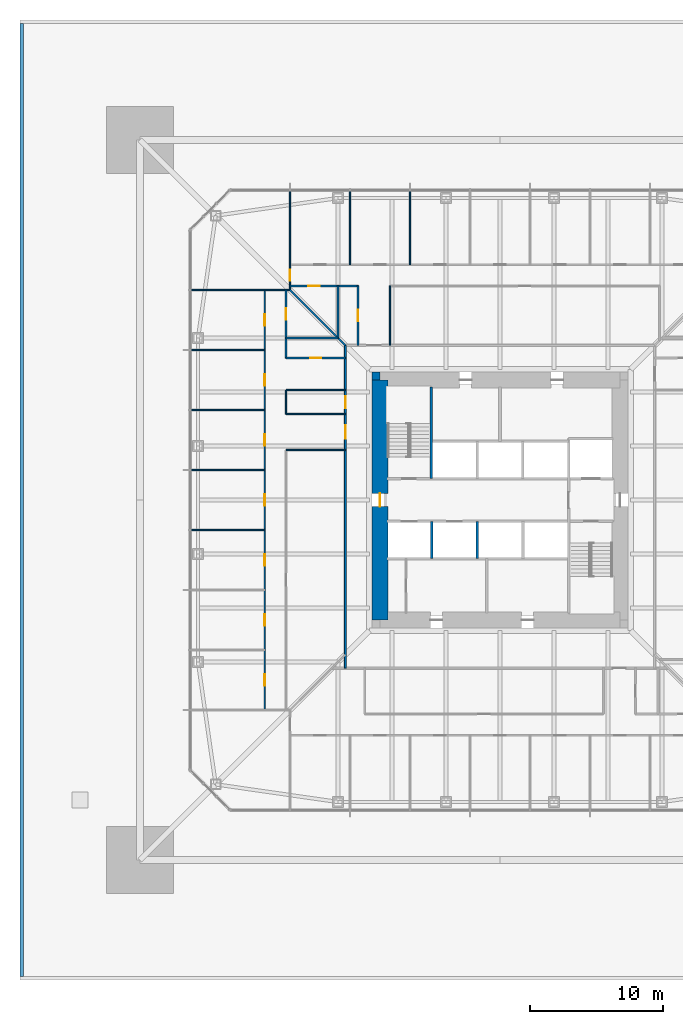
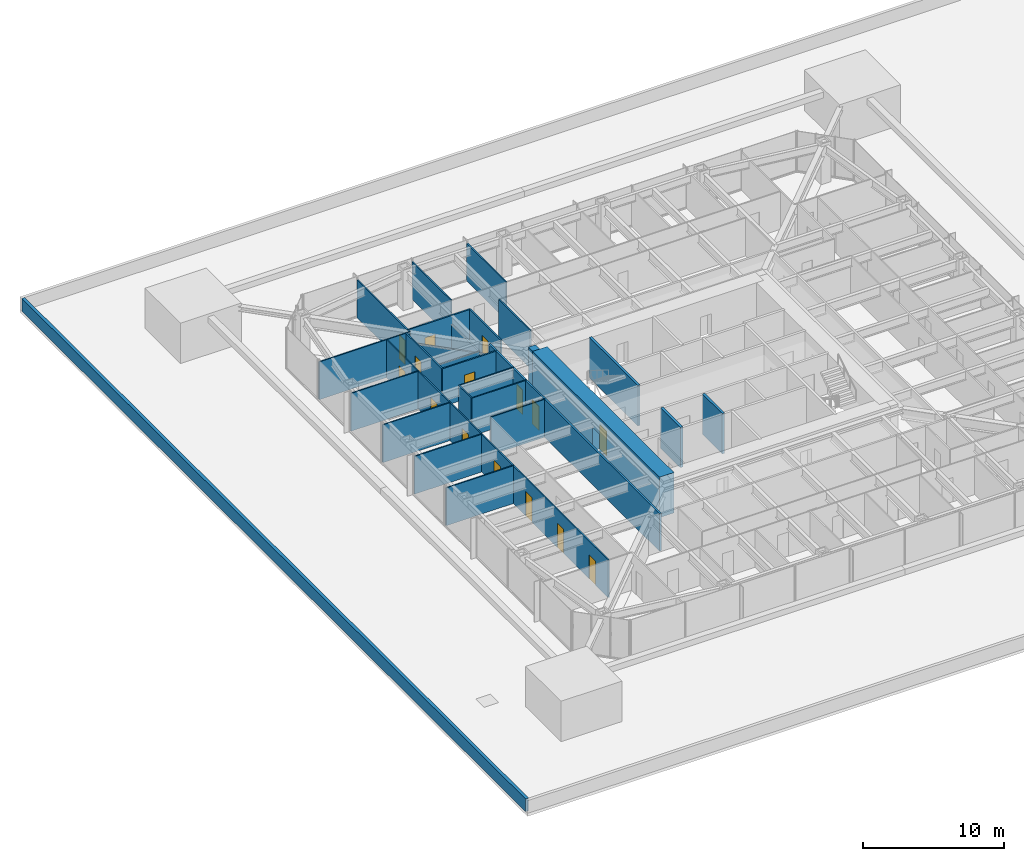
# One storey, part 19 of 31: 28 walls, 15 doors, 15 openings.
"""IFC4 building model written with IfcOpenShell, lengths in metres."""

from ifc_helpers import new_model, si_unit, direction, frame, frame_2d, origin, place, context, subcontext, project, spatial, rectangle, extrude, material, layer, layer_set, type_object, element, fill, save


model = new_model("IFC4")

# Units and contexts
model_context = context("Model", 3, precision=1e-05, world=origin(), true_north=direction((0.0, 1.0)))
body_context = subcontext(model_context, "Body", "Model", "MODEL_VIEW")
ifc_project = project(units=[si_unit("LENGTHUNIT", "METRE"), si_unit("AREAUNIT", "SQUARE_METRE"), si_unit("VOLUMEUNIT", "CUBIC_METRE"), si_unit("PLANEANGLEUNIT", "RADIAN"), si_unit("MASSUNIT", "GRAM", prefix="KILO")], contexts=[model_context])

# Site, building, storey
site_placement = place(None, origin())
site = spatial("IfcSite", under=ifc_project, at=site_placement, CompositionType="ELEMENT")
building_placement = place(site_placement, origin())
building = spatial("IfcBuilding", under=site, at=building_placement, Name="Iwan Alto Co-Living Towers", CompositionType="ELEMENT")
storey_placement = place(building_placement, frame((0.0, 0.0, 15.0)))
storey = spatial("IfcBuildingStorey", under=building, at=storey_placement, Name="L03", CompositionType="ELEMENT", Elevation=15.0)

# Wall, openings, doors
ifc_material_1 = material(Name="Gypsum board")
ifc_layer_1 = layer(ifc_material_1, 0.02490234375, Name="Board", Category="Finish")
ifc_material_2 = material(Name="Steel ASTM A1003 ST33H cold-formed studs", Category="steel")
ifc_layer_2 = layer(ifc_material_2, 0.10009765625, Name="Studs", Category="Framing")
ifc_layer_3 = layer(ifc_material_1, 0.02490234375, Name="Board", Category="Finish")
ifc_layer_set_1 = layer_set([ifc_layer_1, ifc_layer_2, ifc_layer_3], Name="CORRIDOR WALL 150")
wall_type_1 = type_object("IfcWallType", Name="CORRIDOR WALL 150", PredefinedType="PARTITIONING", material=ifc_layer_set_1)
wall_1_placement = place(storey_placement, frame((-11.60009765625, -12.60009765625, 0.0), z_axis=(0.0, 0.0, 1.0), x_axis=(0.0, 1.0, 0.0)))
wall_1 = element("IfcWall", 1, at=wall_1_placement, inside=storey, type_object=wall_type_1, Name="Partition L03", PredefinedType="PARTITIONING", context=body_context, shape_type="SweptSolid", body=[
    extrude(rectangle(XDim=24.2001953125, YDim=0.14990234375, at=frame_2d((12.10009765625, 0.0))), origin(), (0.0, 0.0, 1.0), 3.27001953125),
])
opening_1_placement = place(wall_1_placement, frame((17.199951171875, 0.0, 0.0)))
opening_1 = element("IfcOpeningElement", 2, at=opening_1_placement, cuts=wall_1, Name="Opening D3", PredefinedType="OPENING", context=body_context, shape_type="SweptSolid", body=[
    extrude(rectangle(XDim=1.0, YDim=2.10009765625, at=frame_2d((0.5, 1.050048828125))), frame((0.0, 0.0849609375, 0.0), z_axis=(0.0, -1.0, 0.0), x_axis=(1.0, 0.0, 0.0)), (0.0, 0.0, 1.0), 0.169921875),
])
opening_2_placement = place(wall_1_placement, frame((19.5, 0.0, 0.0)))
opening_2 = element("IfcOpeningElement", 3, at=opening_2_placement, cuts=wall_1, Name="Opening D8", PredefinedType="OPENING", context=body_context, shape_type="SweptSolid", body=[
    extrude(rectangle(XDim=0.89990234375, YDim=2.10009765625, at=frame_2d((0.449951171875, 1.050048828125))), frame((0.0, 0.0849609375, 0.0), z_axis=(0.0, -1.0, 0.0), x_axis=(1.0, 0.0, 0.0)), (0.0, 0.0, 1.0), 0.169921875),
])
ifc_material_3 = material(Name="Steel frame with timber leaf", Category="steel")
door_type_1 = type_object("IfcDoorType", Name="FLAT ENTRANCE DOOR FD30S 1000X2100", OperationType="SINGLE_SWING_LEFT", PredefinedType="DOOR", material=ifc_material_3)
door_1_placement = place(opening_1_placement, origin())
door_1 = element("IfcDoor", 4, at=door_1_placement, inside=storey, type_object=door_type_1, Name="Cluster lounge and shared kitchen door L03", OperationType="SINGLE_SWING_LEFT", OverallHeight=2.10009765625, OverallWidth=1.0, PredefinedType="DOOR", context=body_context, shape_type="SweptSolid", body=[
    extrude(rectangle(XDim=1.0, YDim=2.10009765625, at=frame_2d((0.5, 1.050048828125))), frame((0.0, 0.02490234375, 0.0), z_axis=(0.0, -1.0, 0.0), x_axis=(1.0, 0.0, 0.0)), (0.0, 0.0, 1.0), 0.050048828125),
])
fill(opening_1, door_1)
ifc_material_4 = material(Name="Steel frame with timber leaf", Category="steel")
door_type_2 = type_object("IfcDoorType", Name="RISER DOOR FD120 900X2100", OperationType="SINGLE_SWING_LEFT", PredefinedType="DOOR", material=ifc_material_4)
door_2_placement = place(opening_2_placement, origin())
door_2 = element("IfcDoor", 5, at=door_2_placement, inside=storey, type_object=door_type_2, Name="Vending room door L03", OperationType="SINGLE_SWING_LEFT", OverallHeight=2.10009765625, OverallWidth=0.89990234375, PredefinedType="DOOR", context=body_context, shape_type="SweptSolid", body=[
    extrude(rectangle(XDim=0.89990234375, YDim=2.10009765625, at=frame_2d((0.449951171875, 1.050048828125))), frame((0.0, 0.02490234375, 0.0), z_axis=(0.0, -1.0, 0.0), x_axis=(1.0, 0.0, 0.0)), (0.0, 0.0, 1.0), 0.050048828125),
])
fill(opening_2, door_2)

# Walls
ifc_material_5 = material(Name="Fired clay brick masonry", Category="masonry")
ifc_layer_4 = layer(ifc_material_5, 0.25)
ifc_layer_set_2 = layer_set([ifc_layer_4], Name="PARAPET WALL 250")
wall_type_2 = type_object("IfcWallType", Name="PARAPET WALL 250", PredefinedType="PARAPET", material=ifc_layer_set_2)
wall_2_placement = place(storey_placement, frame((-35.875, 35.75, 0.0), z_axis=(0.0, 0.0, 1.0), x_axis=(0.0, -1.0, 0.0)))
element("IfcWall", 6, at=wall_2_placement, inside=storey, type_object=wall_type_2, Name="Podium parapet W", PredefinedType="PARAPET", context=body_context, shape_type="SweptSolid", body=[
    extrude(rectangle(XDim=71.5, YDim=0.25, at=frame_2d((35.75, 0.0))), origin(), (0.0, 0.0, 1.0), 1.10009765625),
])
ifc_layer_5 = layer(ifc_material_1, 0.012451171875, Name="Board", Category="Finish")
ifc_layer_6 = layer(ifc_material_2, 0.074951171875, Name="Studs", Category="Framing")
ifc_layer_7 = layer(ifc_material_1, 0.012451171875, Name="Board", Category="Finish")
ifc_layer_set_3 = layer_set([ifc_layer_5, ifc_layer_6, ifc_layer_7], Name="PARTITION 100")
wall_type_3 = type_object("IfcWallType", Name="PARTITION 100", PredefinedType="PARTITIONING", material=ifc_layer_set_3)
for number, where, z_axis, x_axis, name in (
    (7, (-23.18994140625, -2.25, 0.0), (0.0, 0.0, 1.0), (1.0, 0.0, 0.0), "Partition L03"),
    (8, (-23.18994140625, 2.25, 0.0), (0.0, 0.0, 1.0), (1.0, 0.0, 0.0), "Partition L03"),
):
    element("IfcWall", number, at=place(storey_placement, frame(where, z_axis=z_axis, x_axis=x_axis)), inside=storey, type_object=wall_type_3, Name=name, PredefinedType="PARTITIONING", context=body_context, shape_type="SweptSolid", body=[
        extrude(rectangle(XDim=5.5400390625, YDim=0.10009765625, at=frame_2d((2.77001953125, 0.0))), origin(), (0.0, 0.0, 1.0), 3.27001953125),
    ])
for number, where, z_axis, x_axis, name in (
    (9, (-16.050048828125, 3.75, 0.0), (0.0, 0.0, 1.0), (1.0, 0.0, 0.0), "Partition L03"),
    (10, (-16.050048828125, 6.449951171875, 0.0), (0.0, 0.0, 1.0), (1.0, 0.0, 0.0), "Partition L03"),
):
    element("IfcWall", number, at=place(storey_placement, frame(where, z_axis=z_axis, x_axis=x_axis)), inside=storey, type_object=wall_type_3, Name=name, PredefinedType="PARTITIONING", context=body_context, shape_type="SweptSolid", body=[
        extrude(rectangle(XDim=4.449951171875, YDim=0.10009765625, at=frame_2d((2.22509765625, 0.0))), origin(), (0.0, 0.0, 1.0), 3.27001953125),
    ])
wall_3_placement = place(storey_placement, frame((-23.18994140625, 6.75, 0.0), z_axis=(0.0, 0.0, 1.0), x_axis=(1.0, 0.0, 0.0)))
element("IfcWall", 11, at=wall_3_placement, inside=storey, type_object=wall_type_3, Name="Partition L03", PredefinedType="PARTITIONING", context=body_context, shape_type="SweptSolid", body=[
    extrude(rectangle(XDim=5.5400390625, YDim=0.10009765625, at=frame_2d((2.77001953125, 0.0))), origin(), (0.0, 0.0, 1.0), 3.27001953125),
])
wall_4_placement = place(storey_placement, frame((-16.050048828125, 8.25, 0.0), z_axis=(0.0, 0.0, 1.0), x_axis=(1.0, 0.0, 0.0)))
element("IfcWall", 12, at=wall_4_placement, inside=storey, type_object=wall_type_3, Name="Partition L03", PredefinedType="PARTITIONING", context=body_context, shape_type="SweptSolid", body=[
    extrude(rectangle(XDim=4.449951171875, YDim=0.10009765625, at=frame_2d((2.22509765625, 0.0))), origin(), (0.0, 0.0, 1.0), 3.27001953125),
])
wall_5_placement = place(storey_placement, frame((-23.18994140625, 11.25, 0.0), z_axis=(0.0, 0.0, 1.0), x_axis=(1.0, 0.0, 0.0)))
element("IfcWall", 13, at=wall_5_placement, inside=storey, type_object=wall_type_3, Name="Partition L03", PredefinedType="PARTITIONING", context=body_context, shape_type="SweptSolid", body=[
    extrude(rectangle(XDim=5.5400390625, YDim=0.10009765625, at=frame_2d((2.77001953125, 0.0))), origin(), (0.0, 0.0, 1.0), 3.27001953125),
])
wall_6_placement = place(storey_placement, frame((-23.18994140625, 15.75, 0.0), z_axis=(0.0, 0.0, 1.0), x_axis=(1.0, 0.0, 0.0)))
element("IfcWall", 14, at=wall_6_placement, inside=storey, type_object=wall_type_3, Name="Partition L03", PredefinedType="PARTITIONING", context=body_context, shape_type="SweptSolid", body=[
    extrude(rectangle(XDim=7.43994140625, YDim=0.10009765625, at=frame_2d((3.719970703125, 0.0))), origin(), (0.0, 0.0, 1.0), 3.27001953125),
])
wall_7_placement = place(storey_placement, frame((-6.75, 17.64990234375, 0.0), z_axis=(0.0, 0.0, 1.0), x_axis=(0.0, 1.0, 0.0)))
element("IfcWall", 15, at=wall_7_placement, inside=storey, type_object=wall_type_3, Name="Partition L03", PredefinedType="PARTITIONING", context=body_context, shape_type="SweptSolid", body=[
    extrude(rectangle(XDim=5.5400390625, YDim=0.10009765625, at=frame_2d((2.77001953125, 0.0))), origin(), (0.0, 0.0, 1.0), 3.27001953125),
])
wall_8_placement = place(storey_placement, frame((-8.25, 11.60009765625, 0.0), z_axis=(0.0, 0.0, 1.0), x_axis=(0.0, 1.0, 0.0)))
element("IfcWall", 16, at=wall_8_placement, inside=storey, type_object=wall_type_3, Name="Partition L03", PredefinedType="PARTITIONING", context=body_context, shape_type="SweptSolid", body=[
    extrude(rectangle(XDim=4.449951171875, YDim=0.10009765625, at=frame_2d((2.22509765625, 0.0))), origin(), (0.0, 0.0, 1.0), 3.27001953125),
])
wall_9_placement = place(storey_placement, frame((-11.25, 17.64990234375, 0.0), z_axis=(0.0, 0.0, 1.0), x_axis=(0.0, 1.0, 0.0)))
element("IfcWall", 17, at=wall_9_placement, inside=storey, type_object=wall_type_3, Name="Partition L03", PredefinedType="PARTITIONING", context=body_context, shape_type="SweptSolid", body=[
    extrude(rectangle(XDim=5.5400390625, YDim=0.10009765625, at=frame_2d((2.77001953125, 0.0))), origin(), (0.0, 0.0, 1.0), 3.27001953125),
])

# Wall, opening, door
wall_10_placement = place(storey_placement, frame((-15.75, 15.75, 0.0), z_axis=(0.0, 0.0, 1.0), x_axis=(0.0, 1.0, 0.0)))
wall_10 = element("IfcWall", 18, at=wall_10_placement, inside=storey, type_object=wall_type_3, Name="Partition L03", PredefinedType="PARTITIONING", context=body_context, shape_type="SweptSolid", body=[
    extrude(rectangle(XDim=7.43994140625, YDim=0.10009765625, at=frame_2d((3.719970703125, 0.0))), origin(), (0.0, 0.0, 1.0), 3.27001953125),
])
opening_3_placement = place(wall_10_placement, frame((0.675048828125, 0.0, 0.0)))
opening_3 = element("IfcOpeningElement", 19, at=opening_3_placement, cuts=wall_10, Name="Opening D2", PredefinedType="OPENING", context=body_context, shape_type="SweptSolid", body=[
    extrude(rectangle(XDim=0.85009765625, YDim=2.10009765625, at=frame_2d((0.425048828125, 1.050048828125))), frame((0.0, 0.06005859375, 0.0), z_axis=(0.0, -1.0, 0.0), x_axis=(1.0, 0.0, 0.0)), (0.0, 0.0, 1.0), 0.1201171875),
])
ifc_material_6 = material(Name="Timber leaf in steel frame", Category="steel")
door_type_3 = type_object("IfcDoorType", Name="ROOM DOOR 850X2100", OperationType="SINGLE_SWING_LEFT", PredefinedType="DOOR", material=ifc_material_6)
door_3_placement = place(opening_3_placement, frame((0.85009765625, 0.0, 0.0), z_axis=(0.0, 0.0, 1.0), x_axis=(-1.0, 0.0, 0.0)))
door_3 = element("IfcDoor", 20, at=door_3_placement, inside=storey, type_object=door_type_3, Name="Shared kitchen and lounge door L03", OperationType="SINGLE_SWING_RIGHT", OverallHeight=2.10009765625, OverallWidth=0.85009765625, PredefinedType="DOOR", context=body_context, shape_type="SweptSolid", body=[
    extrude(rectangle(XDim=0.85009765625, YDim=2.10009765625, at=frame_2d((0.425048828125, 1.050048828125))), frame((0.0, 0.02490234375, 0.0), z_axis=(0.0, -1.0, 0.0), x_axis=(1.0, 0.0, 0.0)), (0.0, 0.0, 1.0), 0.050048828125),
])
fill(opening_3, door_3)

# Wall
wall_11_placement = place(storey_placement, frame((-16.050048828125, 6.449951171875, 0.0), z_axis=(0.0, 0.0, 1.0), x_axis=(0.0, 1.0, 0.0)))
element("IfcWall", 21, at=wall_11_placement, inside=storey, type_object=wall_type_3, Name="Partition L03", PredefinedType="PARTITIONING", context=body_context, shape_type="SweptSolid", body=[
    extrude(rectangle(XDim=1.800048828125, YDim=0.10009765625, at=frame_2d((0.89990234375, 0.0))), origin(), (0.0, 0.0, 1.0), 3.27001953125),
])

# Wall, openings, doors
wall_12_placement = place(storey_placement, frame((-17.64990234375, -15.75, 0.0), z_axis=(0.0, 0.0, 1.0), x_axis=(0.0, 1.0, 0.0)))
wall_12 = element("IfcWall", 22, at=wall_12_placement, inside=storey, type_object=wall_type_3, Name="Partition L03", PredefinedType="PARTITIONING", context=body_context, shape_type="SweptSolid", body=[
    extrude(rectangle(XDim=31.5, YDim=0.10009765625, at=frame_2d((15.75, 0.0))), origin(), (0.0, 0.0, 1.0), 3.27001953125),
])
opening_4_placement = place(wall_12_placement, frame((28.800048828125, 0.0, 0.0)))
opening_4 = element("IfcOpeningElement", 23, at=opening_4_placement, cuts=wall_12, Name="Opening D1", PredefinedType="OPENING", context=body_context, shape_type="SweptSolid", body=[
    extrude(rectangle(XDim=0.89990234375, YDim=2.10009765625, at=frame_2d((0.449951171875, 1.050048828125))), frame((0.0, 0.06005859375, 0.0), z_axis=(0.0, -1.0, 0.0), x_axis=(1.0, 0.0, 0.0)), (0.0, 0.0, 1.0), 0.1201171875),
])
opening_5_placement = place(wall_12_placement, frame((24.300048828125, 0.0, 0.0)))
opening_5 = element("IfcOpeningElement", 24, at=opening_5_placement, cuts=wall_12, Name="Opening D1", PredefinedType="OPENING", context=body_context, shape_type="SweptSolid", body=[
    extrude(rectangle(XDim=0.89990234375, YDim=2.10009765625, at=frame_2d((0.449951171875, 1.050048828125))), frame((0.0, 0.06005859375, 0.0), z_axis=(0.0, -1.0, 0.0), x_axis=(1.0, 0.0, 0.0)), (0.0, 0.0, 1.0), 0.1201171875),
])
opening_6_placement = place(wall_12_placement, frame((19.800048828125, 0.0, 0.0)))
opening_6 = element("IfcOpeningElement", 25, at=opening_6_placement, cuts=wall_12, Name="Opening D1", PredefinedType="OPENING", context=body_context, shape_type="SweptSolid", body=[
    extrude(rectangle(XDim=0.89990234375, YDim=2.10009765625, at=frame_2d((0.449951171875, 1.050048828125))), frame((0.0, 0.06005859375, 0.0), z_axis=(0.0, -1.0, 0.0), x_axis=(1.0, 0.0, 0.0)), (0.0, 0.0, 1.0), 0.1201171875),
])
opening_7_placement = place(wall_12_placement, frame((15.300048828125, 0.0, 0.0)))
opening_7 = element("IfcOpeningElement", 26, at=opening_7_placement, cuts=wall_12, Name="Opening D1", PredefinedType="OPENING", context=body_context, shape_type="SweptSolid", body=[
    extrude(rectangle(XDim=0.89990234375, YDim=2.10009765625, at=frame_2d((0.449951171875, 1.050048828125))), frame((0.0, 0.06005859375, 0.0), z_axis=(0.0, -1.0, 0.0), x_axis=(1.0, 0.0, 0.0)), (0.0, 0.0, 1.0), 0.1201171875),
])
opening_8_placement = place(wall_12_placement, frame((10.800048828125, 0.0, 0.0)))
opening_8 = element("IfcOpeningElement", 27, at=opening_8_placement, cuts=wall_12, Name="Opening D1", PredefinedType="OPENING", context=body_context, shape_type="SweptSolid", body=[
    extrude(rectangle(XDim=0.89990234375, YDim=2.10009765625, at=frame_2d((0.449951171875, 1.050048828125))), frame((0.0, 0.06005859375, 0.0), z_axis=(0.0, -1.0, 0.0), x_axis=(1.0, 0.0, 0.0)), (0.0, 0.0, 1.0), 0.1201171875),
])
opening_9_placement = place(wall_12_placement, frame((6.300048828125, 0.0, 0.0)))
opening_9 = element("IfcOpeningElement", 28, at=opening_9_placement, cuts=wall_12, Name="Opening D1", PredefinedType="OPENING", context=body_context, shape_type="SweptSolid", body=[
    extrude(rectangle(XDim=0.89990234375, YDim=2.10009765625, at=frame_2d((0.449951171875, 1.050048828125))), frame((0.0, 0.06005859375, 0.0), z_axis=(0.0, -1.0, 0.0), x_axis=(1.0, 0.0, 0.0)), (0.0, 0.0, 1.0), 0.1201171875),
])
opening_10_placement = place(wall_12_placement, frame((1.800048828125, 0.0, 0.0)))
opening_10 = element("IfcOpeningElement", 29, at=opening_10_placement, cuts=wall_12, Name="Opening D1", PredefinedType="OPENING", context=body_context, shape_type="SweptSolid", body=[
    extrude(rectangle(XDim=0.89990234375, YDim=2.10009765625, at=frame_2d((0.449951171875, 1.050048828125))), frame((0.0, 0.06005859375, 0.0), z_axis=(0.0, -1.0, 0.0), x_axis=(1.0, 0.0, 0.0)), (0.0, 0.0, 1.0), 0.1201171875),
])
ifc_material_7 = material(Name="Timber leaf in steel frame", Category="steel")
door_type_4 = type_object("IfcDoorType", Name="BEDROOM DOOR 900X2100", OperationType="SINGLE_SWING_LEFT", PredefinedType="DOOR", material=ifc_material_7)
door_4_placement = place(opening_4_placement, frame((0.89990234375, 0.0, 0.0), z_axis=(0.0, 0.0, 1.0), x_axis=(-1.0, 0.0, 0.0)))
door_4 = element("IfcDoor", 30, at=door_4_placement, inside=storey, type_object=door_type_4, Name="Study bedroom door L03", OperationType="SINGLE_SWING_LEFT", OverallHeight=2.10009765625, OverallWidth=0.89990234375, PredefinedType="DOOR", context=body_context, shape_type="SweptSolid", body=[
    extrude(rectangle(XDim=0.89990234375, YDim=2.10009765625, at=frame_2d((0.449951171875, 1.050048828125))), frame((0.0, 0.02490234375, 0.0), z_axis=(0.0, -1.0, 0.0), x_axis=(1.0, 0.0, 0.0)), (0.0, 0.0, 1.0), 0.050048828125),
])
fill(opening_4, door_4)
door_5_placement = place(opening_5_placement, frame((0.89990234375, 0.0, 0.0), z_axis=(0.0, 0.0, 1.0), x_axis=(-1.0, 0.0, 0.0)))
door_5 = element("IfcDoor", 31, at=door_5_placement, inside=storey, type_object=door_type_4, Name="Study bedroom door L03", OperationType="SINGLE_SWING_LEFT", OverallHeight=2.10009765625, OverallWidth=0.89990234375, PredefinedType="DOOR", context=body_context, shape_type="SweptSolid", body=[
    extrude(rectangle(XDim=0.89990234375, YDim=2.10009765625, at=frame_2d((0.449951171875, 1.050048828125))), frame((0.0, 0.02490234375, 0.0), z_axis=(0.0, -1.0, 0.0), x_axis=(1.0, 0.0, 0.0)), (0.0, 0.0, 1.0), 0.050048828125),
])
fill(opening_5, door_5)
door_6_placement = place(opening_6_placement, frame((0.89990234375, 0.0, 0.0), z_axis=(0.0, 0.0, 1.0), x_axis=(-1.0, 0.0, 0.0)))
door_6 = element("IfcDoor", 32, at=door_6_placement, inside=storey, type_object=door_type_4, Name="Study bedroom door L03", OperationType="SINGLE_SWING_LEFT", OverallHeight=2.10009765625, OverallWidth=0.89990234375, PredefinedType="DOOR", context=body_context, shape_type="SweptSolid", body=[
    extrude(rectangle(XDim=0.89990234375, YDim=2.10009765625, at=frame_2d((0.449951171875, 1.050048828125))), frame((0.0, 0.02490234375, 0.0), z_axis=(0.0, -1.0, 0.0), x_axis=(1.0, 0.0, 0.0)), (0.0, 0.0, 1.0), 0.050048828125),
])
fill(opening_6, door_6)
door_7_placement = place(opening_7_placement, frame((0.89990234375, 0.0, 0.0), z_axis=(0.0, 0.0, 1.0), x_axis=(-1.0, 0.0, 0.0)))
door_7 = element("IfcDoor", 33, at=door_7_placement, inside=storey, type_object=door_type_4, Name="Study bedroom door L03", OperationType="SINGLE_SWING_RIGHT", OverallHeight=2.10009765625, OverallWidth=0.89990234375, PredefinedType="DOOR", context=body_context, shape_type="SweptSolid", body=[
    extrude(rectangle(XDim=0.89990234375, YDim=2.10009765625, at=frame_2d((0.449951171875, 1.050048828125))), frame((0.0, 0.02490234375, 0.0), z_axis=(0.0, -1.0, 0.0), x_axis=(1.0, 0.0, 0.0)), (0.0, 0.0, 1.0), 0.050048828125),
])
fill(opening_7, door_7)
door_8_placement = place(opening_8_placement, frame((0.89990234375, 0.0, 0.0), z_axis=(0.0, 0.0, 1.0), x_axis=(-1.0, 0.0, 0.0)))
door_8 = element("IfcDoor", 34, at=door_8_placement, inside=storey, type_object=door_type_4, Name="Study bedroom door L03", OperationType="SINGLE_SWING_RIGHT", OverallHeight=2.10009765625, OverallWidth=0.89990234375, PredefinedType="DOOR", context=body_context, shape_type="SweptSolid", body=[
    extrude(rectangle(XDim=0.89990234375, YDim=2.10009765625, at=frame_2d((0.449951171875, 1.050048828125))), frame((0.0, 0.02490234375, 0.0), z_axis=(0.0, -1.0, 0.0), x_axis=(1.0, 0.0, 0.0)), (0.0, 0.0, 1.0), 0.050048828125),
])
fill(opening_8, door_8)
door_9_placement = place(opening_9_placement, frame((0.89990234375, 0.0, 0.0), z_axis=(0.0, 0.0, 1.0), x_axis=(-1.0, 0.0, 0.0)))
door_9 = element("IfcDoor", 35, at=door_9_placement, inside=storey, type_object=door_type_4, Name="Study bedroom door L03", OperationType="SINGLE_SWING_RIGHT", OverallHeight=2.10009765625, OverallWidth=0.89990234375, PredefinedType="DOOR", context=body_context, shape_type="SweptSolid", body=[
    extrude(rectangle(XDim=0.89990234375, YDim=2.10009765625, at=frame_2d((0.449951171875, 1.050048828125))), frame((0.0, 0.02490234375, 0.0), z_axis=(0.0, -1.0, 0.0), x_axis=(1.0, 0.0, 0.0)), (0.0, 0.0, 1.0), 0.050048828125),
])
fill(opening_9, door_9)
door_10_placement = place(opening_10_placement, frame((0.89990234375, 0.0, 0.0), z_axis=(0.0, 0.0, 1.0), x_axis=(-1.0, 0.0, 0.0)))
door_10 = element("IfcDoor", 36, at=door_10_placement, inside=storey, type_object=door_type_4, Name="Study bedroom door L03", OperationType="SINGLE_SWING_RIGHT", OverallHeight=2.10009765625, OverallWidth=0.89990234375, PredefinedType="DOOR", context=body_context, shape_type="SweptSolid", body=[
    extrude(rectangle(XDim=0.89990234375, YDim=2.10009765625, at=frame_2d((0.449951171875, 1.050048828125))), frame((0.0, 0.02490234375, 0.0), z_axis=(0.0, -1.0, 0.0), x_axis=(1.0, 0.0, 0.0)), (0.0, 0.0, 1.0), 0.050048828125),
])
fill(opening_10, door_10)

# Walls
ifc_material_8 = material(Name="Concrete f'c 70 MPa", Category="concrete")
ifc_layer_8 = layer(ifc_material_8, 0.199951171875)
ifc_layer_set_4 = layer_set([ifc_layer_8], Name="SHAFT WALL 200")
wall_type_4 = type_object("IfcWallType", Name="SHAFT WALL 200", PredefinedType="SOLIDWALL", material=ifc_layer_set_4)
for number, where, z_axis, x_axis, name in (
    (37, (-1.699951171875, -4.39990234375, 0.0), (0.0, 0.0, 1.0), (0.0, 1.0, 0.0), "Shaft wall L03"),
    (38, (-5.125, -4.39990234375, 0.0), (0.0, 0.0, 1.0), (0.0, 1.0, 0.0), "Shaft wall L03"),
):
    element("IfcWall", number, at=place(storey_placement, frame(where, z_axis=z_axis, x_axis=x_axis)), inside=storey, type_object=wall_type_4, Name=name, PredefinedType="SOLIDWALL", context=body_context, shape_type="SweptSolid", body=[
        extrude(rectangle(XDim=2.7998046875, YDim=0.199951171875, at=frame_2d((1.39990234375, 0.0))), origin(), (0.0, 0.0, 1.0), 3.5),
    ])
wall_13_placement = place(storey_placement, frame((-5.14990234375, 1.60009765625, 0.0), z_axis=(0.0, 0.0, 1.0), x_axis=(0.0, 1.0, 0.0)))
element("IfcWall", 39, at=wall_13_placement, inside=storey, type_object=wall_type_4, Name="Shaft wall L03", PredefinedType="SOLIDWALL", context=body_context, shape_type="SweptSolid", body=[
    extrude(rectangle(XDim=6.889892578125, YDim=0.199951171875, at=frame_2d((3.44482421875, 0.0))), origin(), (0.0, 0.0, 1.0), 3.5),
])
ifc_material_9 = material(Name="Concrete f'c 70 MPa", Category="concrete")
ifc_layer_9 = layer(ifc_material_9, 0.60009765625)
ifc_layer_set_5 = layer_set([ifc_layer_9], Name="T1 CORE CORNER FILL 600")
wall_type_5 = type_object("IfcWallType", Name="T1 CORE CORNER FILL 600", PredefinedType="SOLIDWALL", material=ifc_layer_set_5)
wall_14_placement = place(storey_placement, frame((-9.60009765625, 9.300048828125, 0.0), z_axis=(0.0, 0.0, 1.0), x_axis=(1.0, 0.0, 0.0)))
element("IfcWall", 40, at=wall_14_placement, inside=storey, type_object=wall_type_5, Name="T1 core corner NW L03", PredefinedType="SOLIDWALL", context=body_context, shape_type="SweptSolid", body=[
    extrude(rectangle(XDim=0.60009765625, YDim=0.60009765625, at=frame_2d((0.300048828125, 0.0))), origin(), (0.0, 0.0, 1.0), 3.5),
])

# Wall, opening, door
ifc_material_10 = material(Name="Concrete f'c 70 MPa", Category="concrete")
ifc_layer_10 = layer(ifc_material_10, 1.199951171875)
ifc_layer_set_6 = layer_set([ifc_layer_10], Name="T1 CORE WALL 1200")
wall_type_6 = type_object("IfcWallType", Name="T1 CORE WALL 1200", PredefinedType="SHEAR", material=ifc_layer_set_6)
wall_15_placement = place(storey_placement, frame((-9.0, 9.0, 0.0), z_axis=(0.0, 0.0, 1.0), x_axis=(0.0, -1.0, 0.0)))
wall_15 = element("IfcWall", 41, at=wall_15_placement, inside=storey, type_object=wall_type_6, Name="T1 core wall W L03", PredefinedType="SHEAR", context=body_context, shape_type="SweptSolid", body=[
    extrude(rectangle(XDim=18.0, YDim=1.199951171875, at=frame_2d((9.0, 0.0))), origin(), (0.0, 0.0, 1.0), 3.5),
])
opening_11_placement = place(wall_15_placement, frame((8.5, 0.0, 0.0)))
opening_11 = element("IfcOpeningElement", 42, at=opening_11_placement, cuts=wall_15, Name="Opening D7", PredefinedType="OPENING", context=body_context, shape_type="SweptSolid", body=[
    extrude(rectangle(XDim=1.0, YDim=2.10009765625, at=frame_2d((0.5, 1.050048828125))), frame((0.0, 0.60986328125, 0.0), z_axis=(0.0, -1.0, 0.0), x_axis=(1.0, 0.0, 0.0)), (0.0, 0.0, 1.0), 1.219970703125),
])
ifc_material_11 = material(Name="Steel frame with timber leaf", Category="steel")
door_type_5 = type_object("IfcDoorType", Name="CORE DOOR FD120S 1000X2100", OperationType="SINGLE_SWING_LEFT", PredefinedType="DOOR", material=ifc_material_11)
door_11_placement = place(opening_11_placement, origin())
door_11 = element("IfcDoor", 43, at=door_11_placement, inside=storey, type_object=door_type_5, Name="Lift lobby core door L03", OperationType="SINGLE_SWING_RIGHT", OverallHeight=2.10009765625, OverallWidth=1.0, PredefinedType="DOOR", context=body_context, shape_type="SweptSolid", body=[
    extrude(rectangle(XDim=1.0, YDim=2.10009765625, at=frame_2d((0.5, 1.050048828125))), frame((0.0, 0.02490234375, 0.0), z_axis=(0.0, -1.0, 0.0), x_axis=(1.0, 0.0, 0.0)), (0.0, 0.0, 1.0), 0.050048828125),
])
fill(opening_11, door_11)

ifc_material_12 = material(Name="Cement board")
ifc_layer_11 = layer(ifc_material_12, 0.012451171875, Name="Board", Category="Finish")
ifc_layer_12 = layer(ifc_material_2, 0.094970703125, Name="Studs", Category="Framing")
ifc_layer_13 = layer(ifc_material_12, 0.012451171875, Name="Board", Category="Finish")
ifc_layer_set_7 = layer_set([ifc_layer_11, ifc_layer_12, ifc_layer_13], Name="WET AREA PARTITION 120")
wall_type_7 = type_object("IfcWallType", Name="WET AREA PARTITION 120", PredefinedType="PARTITIONING", material=ifc_layer_set_7)
wall_16_placement = place(storey_placement, frame((-16.050048828125, 10.64990234375, 0.0), z_axis=(0.0, 0.0, 1.0), x_axis=(1.0, 0.0, 0.0)))
wall_16 = element("IfcWall", 44, at=wall_16_placement, inside=storey, type_object=wall_type_7, Name="Partition L03", PredefinedType="PARTITIONING", context=body_context, shape_type="SweptSolid", body=[
    extrude(rectangle(XDim=4.449951171875, YDim=0.1201171875, at=frame_2d((2.22509765625, 0.0))), origin(), (0.0, 0.0, 1.0), 3.27001953125),
])
opening_12_placement = place(wall_16_placement, frame((1.800048828125, 0.0, 0.0)))
opening_12 = element("IfcOpeningElement", 45, at=opening_12_placement, cuts=wall_16, Name="Opening D2", PredefinedType="OPENING", context=body_context, shape_type="SweptSolid", body=[
    extrude(rectangle(XDim=0.85009765625, YDim=2.10009765625, at=frame_2d((0.425048828125, 1.050048828125))), frame((0.0, 0.070068359375, 0.0), z_axis=(0.0, -1.0, 0.0), x_axis=(1.0, 0.0, 0.0)), (0.0, 0.0, 1.0), 0.14013671875),
])
door_12_placement = place(opening_12_placement, frame((0.85009765625, 0.0, 0.0), z_axis=(0.0, 0.0, 1.0), x_axis=(-1.0, 0.0, 0.0)))
door_12 = element("IfcDoor", 46, at=door_12_placement, inside=storey, type_object=door_type_3, Name="Bathroom door L03", OperationType="SINGLE_SWING_LEFT", OverallHeight=2.10009765625, OverallWidth=0.85009765625, PredefinedType="DOOR", context=body_context, shape_type="SweptSolid", body=[
    extrude(rectangle(XDim=0.85009765625, YDim=2.10009765625, at=frame_2d((0.425048828125, 1.050048828125))), frame((0.0, 0.02490234375, 0.0), z_axis=(0.0, -1.0, 0.0), x_axis=(1.0, 0.0, 0.0)), (0.0, 0.0, 1.0), 0.050048828125),
])
fill(opening_12, door_12)

# Wall
wall_17_placement = place(storey_placement, frame((-16.050048828125, 12.14990234375, 0.0), z_axis=(0.0, 0.0, 1.0), x_axis=(1.0, 0.0, 0.0)))
element("IfcWall", 47, at=wall_17_placement, inside=storey, type_object=wall_type_7, Name="Partition L03", PredefinedType="PARTITIONING", context=body_context, shape_type="SweptSolid", body=[
    extrude(rectangle(XDim=3.900146484375, YDim=0.1201171875, at=frame_2d((1.9501953125, 0.0))), origin(), (0.0, 0.0, 1.0), 2.508056640625),
])

# Wall, opening, door
wall_18_placement = place(storey_placement, frame((-15.75, 16.050048828125, 0.0), z_axis=(0.0, 0.0, 1.0), x_axis=(1.0, 0.0, 0.0)))
wall_18 = element("IfcWall", 48, at=wall_18_placement, inside=storey, type_object=wall_type_7, Name="Partition L03", PredefinedType="PARTITIONING", context=body_context, shape_type="SweptSolid", body=[
    extrude(rectangle(XDim=5.10009765625, YDim=0.1201171875, at=frame_2d((2.550048828125, 0.0))), origin(), (0.0, 0.0, 1.0), 3.27001953125),
])
opening_13_placement = place(wall_18_placement, frame((1.375, 0.0, 0.0)))
opening_13 = element("IfcOpeningElement", 49, at=opening_13_placement, cuts=wall_18, Name="Opening D2", PredefinedType="OPENING", context=body_context, shape_type="SweptSolid", body=[
    extrude(rectangle(XDim=0.85009765625, YDim=2.10009765625, at=frame_2d((0.425048828125, 1.050048828125))), frame((0.0, 0.070068359375, 0.0), z_axis=(0.0, -1.0, 0.0), x_axis=(1.0, 0.0, 0.0)), (0.0, 0.0, 1.0), 0.14013671875),
])
door_13_placement = place(opening_13_placement, origin())
door_13 = element("IfcDoor", 50, at=door_13_placement, inside=storey, type_object=door_type_3, Name="Accessible bathroom door L03", OperationType="SINGLE_SWING_LEFT", OverallHeight=2.10009765625, OverallWidth=0.85009765625, PredefinedType="DOOR", context=body_context, shape_type="SweptSolid", body=[
    extrude(rectangle(XDim=0.85009765625, YDim=2.10009765625, at=frame_2d((0.425048828125, 1.050048828125))), frame((0.0, 0.02490234375, 0.0), z_axis=(0.0, -1.0, 0.0), x_axis=(1.0, 0.0, 0.0)), (0.0, 0.0, 1.0), 0.050048828125),
])
fill(opening_13, door_13)

wall_19_placement = place(storey_placement, frame((-10.64990234375, 11.60009765625, 0.0), z_axis=(0.0, 0.0, 1.0), x_axis=(0.0, 1.0, 0.0)))
wall_19 = element("IfcWall", 51, at=wall_19_placement, inside=storey, type_object=wall_type_7, Name="Partition L03", PredefinedType="PARTITIONING", context=body_context, shape_type="SweptSolid", body=[
    extrude(rectangle(XDim=4.449951171875, YDim=0.1201171875, at=frame_2d((2.22509765625, 0.0))), origin(), (0.0, 0.0, 1.0), 3.27001953125),
])
opening_14_placement = place(wall_19_placement, frame((1.800048828125, 0.0, 0.0)))
opening_14 = element("IfcOpeningElement", 52, at=opening_14_placement, cuts=wall_19, Name="Opening D2", PredefinedType="OPENING", context=body_context, shape_type="SweptSolid", body=[
    extrude(rectangle(XDim=0.85009765625, YDim=2.10009765625, at=frame_2d((0.425048828125, 1.050048828125))), frame((0.0, 0.070068359375, 0.0), z_axis=(0.0, -1.0, 0.0), x_axis=(1.0, 0.0, 0.0)), (0.0, 0.0, 1.0), 0.14013671875),
])
door_14_placement = place(opening_14_placement, frame((0.85009765625, 0.0, 0.0), z_axis=(0.0, 0.0, 1.0), x_axis=(-1.0, 0.0, 0.0)))
door_14 = element("IfcDoor", 53, at=door_14_placement, inside=storey, type_object=door_type_3, Name="Bathroom door L03", OperationType="SINGLE_SWING_RIGHT", OverallHeight=2.10009765625, OverallWidth=0.85009765625, PredefinedType="DOOR", context=body_context, shape_type="SweptSolid", body=[
    extrude(rectangle(XDim=0.85009765625, YDim=2.10009765625, at=frame_2d((0.425048828125, 1.050048828125))), frame((0.0, 0.02490234375, 0.0), z_axis=(0.0, -1.0, 0.0), x_axis=(1.0, 0.0, 0.0)), (0.0, 0.0, 1.0), 0.050048828125),
])
fill(opening_14, door_14)

# Wall
wall_20_placement = place(storey_placement, frame((-12.14990234375, 12.14990234375, 0.0), z_axis=(0.0, 0.0, 1.0), x_axis=(0.0, 1.0, 0.0)))
element("IfcWall", 54, at=wall_20_placement, inside=storey, type_object=wall_type_7, Name="Partition L03", PredefinedType="PARTITIONING", context=body_context, shape_type="SweptSolid", body=[
    extrude(rectangle(XDim=3.900146484375, YDim=0.1201171875, at=frame_2d((1.9501953125, 0.0))), origin(), (0.0, 0.0, 1.0), 2.508056640625),
])

# Wall, opening, door
wall_21_placement = place(storey_placement, frame((-16.050048828125, 10.64990234375, 0.0), z_axis=(0.0, 0.0, 1.0), x_axis=(0.0, 1.0, 0.0)))
wall_21 = element("IfcWall", 55, at=wall_21_placement, inside=storey, type_object=wall_type_7, Name="Partition L03", PredefinedType="PARTITIONING", context=body_context, shape_type="SweptSolid", body=[
    extrude(rectangle(XDim=5.10009765625, YDim=0.1201171875, at=frame_2d((2.550048828125, 0.0))), origin(), (0.0, 0.0, 1.0), 3.27001953125),
])
opening_15_placement = place(wall_21_placement, frame((2.875, 0.0, 0.0)))
opening_15 = element("IfcOpeningElement", 56, at=opening_15_placement, cuts=wall_21, Name="Opening D2", PredefinedType="OPENING", context=body_context, shape_type="SweptSolid", body=[
    extrude(rectangle(XDim=0.85009765625, YDim=2.10009765625, at=frame_2d((0.425048828125, 1.050048828125))), frame((0.0, 0.070068359375, 0.0), z_axis=(0.0, -1.0, 0.0), x_axis=(1.0, 0.0, 0.0)), (0.0, 0.0, 1.0), 0.14013671875),
])
door_15_placement = place(opening_15_placement, origin())
door_15 = element("IfcDoor", 57, at=door_15_placement, inside=storey, type_object=door_type_3, Name="Accessible bathroom door L03", OperationType="SINGLE_SWING_RIGHT", OverallHeight=2.10009765625, OverallWidth=0.85009765625, PredefinedType="DOOR", context=body_context, shape_type="SweptSolid", body=[
    extrude(rectangle(XDim=0.85009765625, YDim=2.10009765625, at=frame_2d((0.425048828125, 1.050048828125))), frame((0.0, 0.02490234375, 0.0), z_axis=(0.0, -1.0, 0.0), x_axis=(1.0, 0.0, 0.0)), (0.0, 0.0, 1.0), 0.050048828125),
])
fill(opening_15, door_15)

# Wall
wall_22_placement = place(storey_placement, frame((-11.60009765625, 11.60009765625, 0.0), z_axis=(0.0, 0.0, 1.0), x_axis=(-0.707106781187, 0.707106781187, 0.0)))
element("IfcWall", 58, at=wall_22_placement, inside=storey, type_object=wall_type_7, Name="Partition L03", PredefinedType="PARTITIONING", context=body_context, shape_type="SweptSolid", body=[
    extrude(rectangle(XDim=5.868896484375, YDim=0.1201171875, at=frame_2d((2.9345703125, 0.0))), origin(), (0.0, 0.0, 1.0), 2.343017578125),
])

save(model, "model.ifc")
